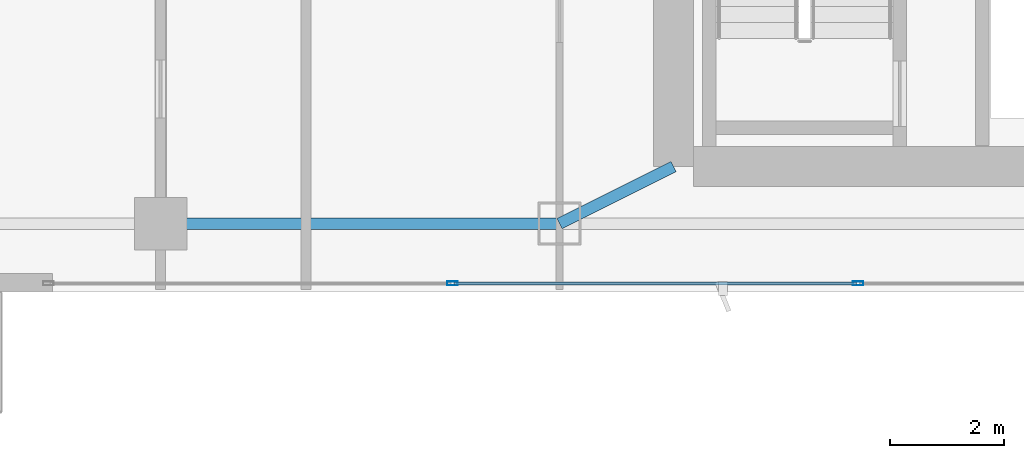
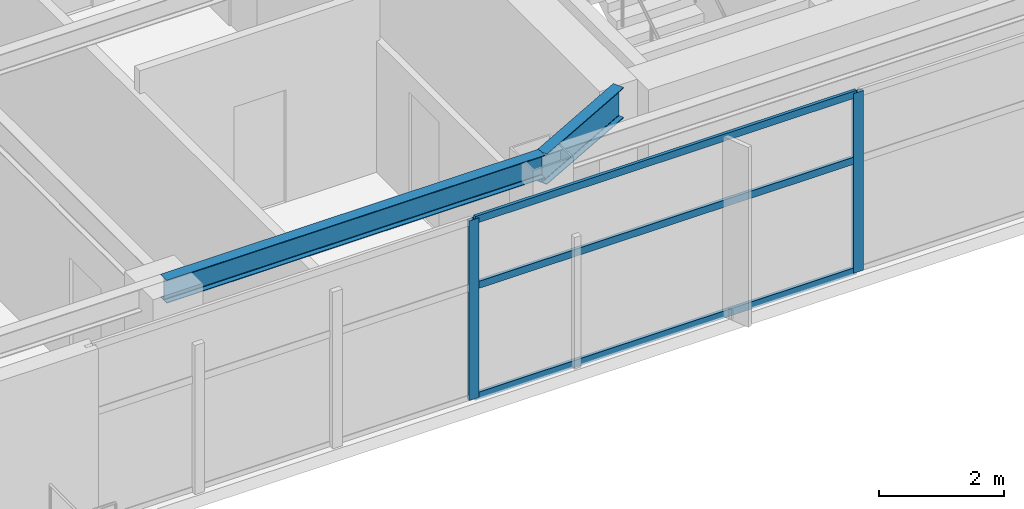
# One storey, part 6 of 27: 5 members, 2 beams, 1 element without a shape of its own.
"""IFC4 building model written with IfcOpenShell, lengths in metres."""

from ifc_helpers import new_model, si_unit, direction, frame, origin, origin_2d, place, context, subcontext, project, spatial, hollow_rectangle, i_section, extrude, material, layer, layer_set, material_profile, profile_set, type_object, element, aggregate, save


model = new_model("IFC4")

# Units and contexts
model_context = context("Model", 3, precision=1e-05, world=origin(), true_north=direction((0.0, 1.0)))
body_context = subcontext(model_context, "Body", "Model", "MODEL_VIEW")
ifc_project = project(units=[si_unit("LENGTHUNIT", "METRE"), si_unit("AREAUNIT", "SQUARE_METRE"), si_unit("VOLUMEUNIT", "CUBIC_METRE"), si_unit("PLANEANGLEUNIT", "RADIAN"), si_unit("MASSUNIT", "GRAM", prefix="KILO")], contexts=[model_context])

# Site, building, storey
site_placement = place(None, origin())
site = spatial("IfcSite", under=ifc_project, at=site_placement, CompositionType="ELEMENT")
building_placement = place(site_placement, origin())
building = spatial("IfcBuilding", under=site, at=building_placement, Name="Calvorn Quay Hotel", CompositionType="ELEMENT")
storey_placement = place(building_placement, frame((0.0, 0.0, 230.699951171875)))
storey = spatial("IfcBuildingStorey", under=building, at=storey_placement, Name="L57", CompositionType="ELEMENT", Elevation=230.699951171875)

# Beams
ifc_material_1 = material(Name="Steel Q355B", Category="steel")
ifc_material_profile_1 = material_profile(ifc_material_1, i_section(OverallWidth=0.199951171875, OverallDepth=0.60009765625, WebThickness=0.010986328125, FlangeThickness=0.01708984375, FilletRadius=0.01806640625, at=origin_2d()), Name="HN600x200x11x17")
ifc_profile_set_1 = profile_set([ifc_material_profile_1], Name="Steel Q355B")
beam_type_1 = type_object("IfcBeamType", Name="BM-GIRD-TYP", PredefinedType="BEAM", material=ifc_profile_set_1)
beam_1_placement = place(storey_placement, frame((19.60009765625, 3.60009765625, 3.219970703125), z_axis=(0.894427191, 0.4472135955, 0.0), x_axis=(-0.4472135955, 0.894427191, 0.0)))
element("IfcBeam", 1, at=beam_1_placement, inside=storey, type_object=beam_type_1, Name="Beam BG-L57-S2", PredefinedType="BEAM", context=body_context, shape_type="SweptSolid", body=[
    extrude(i_section(OverallWidth=0.199951171875, OverallDepth=0.60009765625, WebThickness=0.010986328125, FlangeThickness=0.01708984375, FilletRadius=0.01806640625, at=origin_2d()), origin(), (0.0, 0.0, 1.0), 2.236083984375),
])
ifc_material_2 = material(Name="Steel Q355B", Category="steel")
ifc_material_profile_2 = material_profile(ifc_material_2, i_section(OverallWidth=0.199951171875, OverallDepth=0.449951171875, WebThickness=0.009033203125, FlangeThickness=0.013916015625, FilletRadius=0.01611328125, at=origin_2d()), Name="HN450x200x9x14")
ifc_profile_set_2 = profile_set([ifc_material_profile_2], Name="Steel Q355B")
beam_type_2 = type_object("IfcBeamType", Name="BM-SPANDREL-Z3", PredefinedType="SPANDREL", material=ifc_profile_set_2)
beam_2_placement = place(storey_placement, frame((12.60009765625, 3.60009765625, 3.295166015625), z_axis=(1.0, 0.0, 0.0), x_axis=(0.0, 1.0, 0.0)))
element("IfcBeam", 2, at=beam_2_placement, inside=storey, type_object=beam_type_2, Name="Beam BSP-L57-S2", PredefinedType="SPANDREL", context=body_context, shape_type="SweptSolid", body=[
    extrude(i_section(OverallWidth=0.199951171875, OverallDepth=0.449951171875, WebThickness=0.009033203125, FlangeThickness=0.013916015625, FilletRadius=0.01611328125, at=origin_2d()), origin(), (0.0, 0.0, 1.0), 7.0),
])

# Curtain wall, members
ifc_material_3 = material(Name="Champagne Bronze Anodised Aluminium and Low-E Glass", Category="aluminium")
ifc_layer = layer(ifc_material_3, 0.219970703125)
ifc_layer_set = layer_set([ifc_layer], Name="CW-SYS-Z3")
curtain_wall_type = type_object("IfcCurtainWallType", Name="CW-SYS-Z3", PredefinedType="NOTDEFINED", material=ifc_layer_set)
curtain_wall_placement = place(storey_placement, origin())
curtain_wall = element("IfcCurtainWall", 3, at=curtain_wall_placement, inside=storey, type_object=curtain_wall_type, Name="Tower South Waterfront Curtain Wall (L57)", PredefinedType="NOTDEFINED")
ifc_material_4 = material(Name="Champagne Bronze Anodised Aluminium 6063-T6", Category="aluminium")
ifc_material_profile_3 = material_profile(ifc_material_4, hollow_rectangle(XDim=0.068115234375, YDim=0.18505859375, WallThickness=0.00390625, at=origin_2d()), Name="ALU-M185x68x4")
ifc_profile_set_3 = profile_set([ifc_material_profile_3], Name="Champagne Bronze Anodised Aluminium 6063-T6")
member_type_1 = type_object("IfcMemberType", Name="CW-SYS-Z3-MUL", PredefinedType="MULLION", material=ifc_profile_set_3)
member_1_placement = place(storey_placement, frame((17.719970703125, 2.550048828125, 0.0), z_axis=(0.0, 0.0, 1.0), x_axis=(0.0, 1.0, 0.0)))
member_1 = element("IfcMember", 4, at=member_1_placement, type_object=member_type_1, Name="CW-L57-S mullion 2", PredefinedType="MULLION", context=body_context, shape_type="SweptSolid", body=[
    extrude(hollow_rectangle(XDim=0.068115234375, YDim=0.18505859375, WallThickness=0.00390625, at=origin_2d()), origin(), (0.0, 0.0, 1.0), 3.52001953125),
])
member_2_placement = place(storey_placement, frame((24.840087890625, 2.550048828125, 0.0), z_axis=(0.0, 0.0, 1.0), x_axis=(0.0, 1.0, 0.0)))
member_2 = element("IfcMember", 5, at=member_2_placement, type_object=member_type_1, Name="CW-L57-S mullion 3", PredefinedType="MULLION", context=body_context, shape_type="SweptSolid", body=[
    extrude(hollow_rectangle(XDim=0.068115234375, YDim=0.18505859375, WallThickness=0.00390625, at=origin_2d()), origin(), (0.0, 0.0, 1.0), 3.52001953125),
])
ifc_material_5 = material(Name="Champagne Bronze Anodised Aluminium 6063-T6", Category="aluminium")
ifc_material_profile_4 = material_profile(ifc_material_5, hollow_rectangle(XDim=0.05810546875, YDim=0.139892578125, WallThickness=0.003173828125, at=origin_2d()), Name="ALU-T140x58x3.2")
ifc_profile_set_4 = profile_set([ifc_material_profile_4], Name="Champagne Bronze Anodised Aluminium 6063-T6")
member_type_2 = type_object("IfcMemberType", Name="CW-SYS-Z3-TRN", PredefinedType="USERDEFINED", material=ifc_profile_set_4)
member_3_placement = place(storey_placement, frame((17.75, 2.550048828125, 0.030029296875), z_axis=(1.0, 0.0, 0.0), x_axis=(0.0, 1.0, 0.0)))
member_3 = element("IfcMember", 6, at=member_3_placement, type_object=member_type_2, Name="CW-L57-S transom 2.1", ObjectType="TRANSOM", PredefinedType="USERDEFINED", context=body_context, shape_type="SweptSolid", body=[
    extrude(hollow_rectangle(XDim=0.05810546875, YDim=0.139892578125, WallThickness=0.003173828125, at=origin_2d()), origin(), (0.0, 0.0, 1.0), 7.06005859375),
])
member_4_placement = place(storey_placement, frame((17.75, 2.550048828125, 2.199951171875), z_axis=(1.0, 0.0, 0.0), x_axis=(0.0, 1.0, 0.0)))
member_4 = element("IfcMember", 7, at=member_4_placement, type_object=member_type_2, Name="CW-L57-S transom 2.2", ObjectType="TRANSOM", PredefinedType="USERDEFINED", context=body_context, shape_type="SweptSolid", body=[
    extrude(hollow_rectangle(XDim=0.05810546875, YDim=0.139892578125, WallThickness=0.003173828125, at=origin_2d()), origin(), (0.0, 0.0, 1.0), 7.06005859375),
])
member_5_placement = place(storey_placement, frame((17.75, 2.550048828125, 3.489990234375), z_axis=(1.0, 0.0, 0.0), x_axis=(0.0, 1.0, 0.0)))
member_5 = element("IfcMember", 8, at=member_5_placement, type_object=member_type_2, Name="CW-L57-S transom 2.3", ObjectType="TRANSOM", PredefinedType="USERDEFINED", context=body_context, shape_type="SweptSolid", body=[
    extrude(hollow_rectangle(XDim=0.05810546875, YDim=0.139892578125, WallThickness=0.003173828125, at=origin_2d()), origin(), (0.0, 0.0, 1.0), 7.06005859375),
])
aggregate(curtain_wall, [member_1, member_2, member_3, member_4, member_5])

save(model, "model.ifc")
